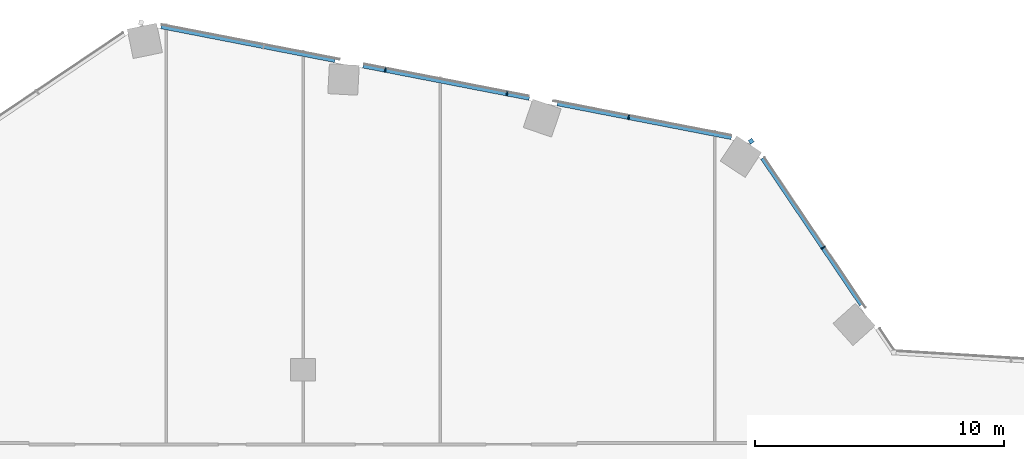
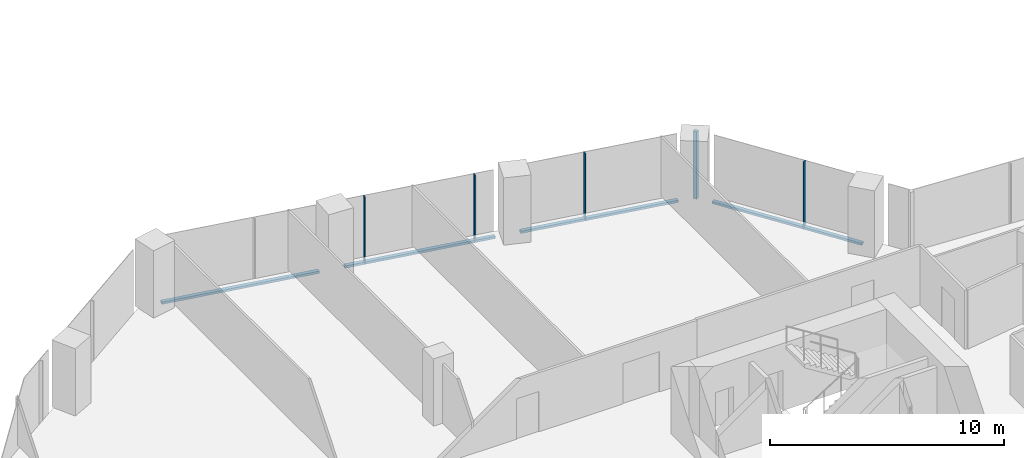
# One storey, part 13 of 32: 9 members, 2 elements without a shape of their own.
"""IFC4 building model written with IfcOpenShell, lengths in metres."""

from ifc_helpers import new_model, si_unit, direction, frame, origin, origin_2d, place, context, subcontext, project, spatial, rectangle, extrude, material, material_profile, profile_set, type_object, element, aggregate, save


model = new_model("IFC4")

# Units and contexts
model_context = context("Model", 3, precision=1e-05, world=origin(), true_north=direction((0.0, 1.0)))
body_context = subcontext(model_context, "Body", "Model", "MODEL_VIEW")
ifc_project = project(units=[si_unit("LENGTHUNIT", "METRE"), si_unit("AREAUNIT", "SQUARE_METRE"), si_unit("VOLUMEUNIT", "CUBIC_METRE"), si_unit("PLANEANGLEUNIT", "RADIAN"), si_unit("MASSUNIT", "GRAM", prefix="KILO")], contexts=[model_context])

# Site, building, storey
site_placement = place(None, origin())
site = spatial("IfcSite", under=ifc_project, at=site_placement, CompositionType="ELEMENT")
building_placement = place(site_placement, origin())
building = spatial("IfcBuilding", under=site, at=building_placement, Name="Orlundy Tower", CompositionType="ELEMENT")
storey_placement = place(building_placement, frame((0.0, 0.0, 152.60009765625)))
storey = spatial("IfcBuildingStorey", under=building, at=storey_placement, Name="L39", CompositionType="ELEMENT", Elevation=152.60009765625)

# Curtain wall, member
ifc_material_1 = material(Name="Aluminium bronze anodised", Category="aluminium")
curtain_wall_type = type_object("IfcCurtainWallType", Name="CW1 wall", PredefinedType="NOTDEFINED", material=ifc_material_1)
curtain_wall_1_placement = place(storey_placement, origin())
curtain_wall_1 = element("IfcCurtainWall", 1, at=curtain_wall_1_placement, inside=storey, type_object=curtain_wall_type, Name="CW1 run 017", PredefinedType="NOTDEFINED")
ifc_material_2 = material(Name="Aluminium bronze anodised", Category="aluminium")
ifc_material_profile_1 = material_profile(ifc_material_2, rectangle(XDim=0.179931640625, YDim=0.179931640625, at=origin_2d()), Name="CW1 corner post 180x180")
ifc_profile_set_1 = profile_set([ifc_material_profile_1], Name="Aluminium bronze anodised")
member_type_1 = type_object("IfcMemberType", Name="CW1 corner post 180x180", PredefinedType="MULLION", material=ifc_profile_set_1)
member_1_placement = place(storey_placement, frame((17.975830078125, 27.1591796875, -0.400146484375), z_axis=(0.0, 0.0, 1.0), x_axis=(0.829017365471, 0.559222860538, 0.0)))
member_1 = element("IfcMember", 2, at=member_1_placement, type_object=member_type_1, Name="CW1 mullion 49", PredefinedType="MULLION", context=body_context, shape_type="SweptSolid", body=[
    extrude(rectangle(XDim=0.179931640625, YDim=0.179931640625, at=origin_2d()), origin(), (0.0, 0.0, 1.0), 3.5),
])

# Curtain wall, members
curtain_wall_2_placement = place(storey_placement, origin())
curtain_wall_2 = element("IfcCurtainWall", 3, at=curtain_wall_2_placement, inside=storey, type_object=curtain_wall_type, Name="CW1 run 016", PredefinedType="NOTDEFINED")
ifc_material_3 = material(Name="Aluminium bronze anodised", Category="aluminium")
ifc_material_profile_2 = material_profile(ifc_material_3, rectangle(XDim=0.179931640625, YDim=0.050048828125, at=origin_2d()), Name="CW1 mullion 50x180")
ifc_profile_set_2 = profile_set([ifc_material_profile_2], Name="Aluminium bronze anodised")
member_type_2 = type_object("IfcMemberType", Name="CW1 mullion 50x180", PredefinedType="MULLION", material=ifc_profile_set_2)
member_2_placement = place(storey_placement, frame((3.301513671875, 30.011474609375, -0.400146484375), z_axis=(0.0, 0.0, 1.0), x_axis=(0.19080503976, 0.981627952333, 0.0)))
member_2 = element("IfcMember", 4, at=member_2_placement, type_object=member_type_2, Name="CW1 mullion 46", PredefinedType="MULLION", context=body_context, shape_type="SweptSolid", body=[
    extrude(rectangle(XDim=0.179931640625, YDim=0.050048828125, at=origin_2d()), origin(), (0.0, 0.0, 1.0), 3.5),
])
member_3_placement = place(storey_placement, frame((8.1806640625, 29.063232421875, -0.400146484375), z_axis=(0.0, 0.0, 1.0), x_axis=(0.19080503976, 0.981627952333, 0.0)))
member_3 = element("IfcMember", 5, at=member_3_placement, type_object=member_type_2, Name="CW1 mullion 47", PredefinedType="MULLION", context=body_context, shape_type="SweptSolid", body=[
    extrude(rectangle(XDim=0.179931640625, YDim=0.050048828125, at=origin_2d()), origin(), (0.0, 0.0, 1.0), 3.5),
])
member_4_placement = place(storey_placement, frame((13.06005859375, 28.11474609375, -0.400146484375), z_axis=(0.0, 0.0, 1.0), x_axis=(0.19080503976, 0.981627952333, 0.0)))
member_4 = element("IfcMember", 6, at=member_4_placement, type_object=member_type_2, Name="CW1 mullion 48", PredefinedType="MULLION", context=body_context, shape_type="SweptSolid", body=[
    extrude(rectangle(XDim=0.179931640625, YDim=0.050048828125, at=origin_2d()), origin(), (0.0, 0.0, 1.0), 3.5),
])

# Member
member_5_placement = place(storey_placement, frame((20.859130859375, 22.884765625, -0.400146484375), z_axis=(0.0, 0.0, 1.0), x_axis=(0.829017365471, 0.559222860538, 0.0)))
member_5 = element("IfcMember", 7, at=member_5_placement, type_object=member_type_2, Name="CW1 mullion 50", PredefinedType="MULLION", context=body_context, shape_type="SweptSolid", body=[
    extrude(rectangle(XDim=0.179931640625, YDim=0.050048828125, at=origin_2d()), origin(), (0.0, 0.0, 1.0), 3.5),
])

ifc_material_4 = material(Name="Aluminium bronze anodised", Category="aluminium")
ifc_material_profile_3 = material_profile(ifc_material_4, rectangle(XDim=0.179931640625, YDim=0.1201171875, at=origin_2d()), Name="CW1 transom 180x120")
ifc_profile_set_3 = profile_set([ifc_material_profile_3], Name="Aluminium bronze anodised")
member_type_3 = type_object("IfcMemberType", Name="CW1 transom 180x120", PredefinedType="USERDEFINED", material=ifc_profile_set_3)
member_6_placement = place(storey_placement, frame((-5.696044921875, 31.760498046875, -0.340087890625), z_axis=(0.981625574839, -0.190817270766, 0.0), x_axis=(0.190817270766, 0.981625574839, 0.0)))
member_6 = element("IfcMember", 8, at=member_6_placement, type_object=member_type_3, Name="CW1 transom", ObjectType="TRANSOM", PredefinedType="USERDEFINED", context=body_context, shape_type="SweptSolid", body=[
    extrude(rectangle(XDim=0.179931640625, YDim=0.1201171875, at=origin_2d()), origin(), (0.0, 0.0, 1.0), 7.10986328125),
])

member_7_placement = place(storey_placement, frame((2.406494140625, 30.185546875, -0.340087890625), z_axis=(0.981629038684, -0.190799450764, 0.0), x_axis=(0.190799450764, 0.981629038684, 0.0)))
member_7 = element("IfcMember", 9, at=member_7_placement, type_object=member_type_3, Name="CW1 transom", ObjectType="TRANSOM", PredefinedType="USERDEFINED", context=body_context, shape_type="SweptSolid", body=[
    extrude(rectangle(XDim=0.179931640625, YDim=0.1201171875, at=origin_2d()), origin(), (0.0, 0.0, 1.0), 6.79443359375),
])

member_8_placement = place(storey_placement, frame((10.19921875, 28.6708984375, -0.340087890625), z_axis=(0.981624144272, -0.190824629914, 0.0), x_axis=(0.190824629914, 0.981624144272, 0.0)))
member_8 = element("IfcMember", 10, at=member_8_placement, type_object=member_type_3, Name="CW1 transom", ObjectType="TRANSOM", PredefinedType="USERDEFINED", context=body_context, shape_type="SweptSolid", body=[
    extrude(rectangle(XDim=0.179931640625, YDim=0.1201171875, at=origin_2d()), origin(), (0.0, 0.0, 1.0), 7.11083984375),
])

aggregate(curtain_wall_2, [member_2, member_3, member_4, member_6, member_7, member_8])

member_9_placement = place(storey_placement, frame((18.43017578125, 26.485595703125, -0.340087890625), z_axis=(0.559228465587, -0.829013584495, 0.0), x_axis=(0.829013584495, 0.559228465587, 0.0)))
member_9 = element("IfcMember", 11, at=member_9_placement, type_object=member_type_3, Name="CW1 transom", ObjectType="TRANSOM", PredefinedType="USERDEFINED", context=body_context, shape_type="SweptSolid", body=[
    extrude(rectangle(XDim=0.179931640625, YDim=0.1201171875, at=origin_2d()), origin(), (0.0, 0.0, 1.0), 7.103759765625),
])

aggregate(curtain_wall_1, [member_1, member_5, member_9])

save(model, "model.ifc")
